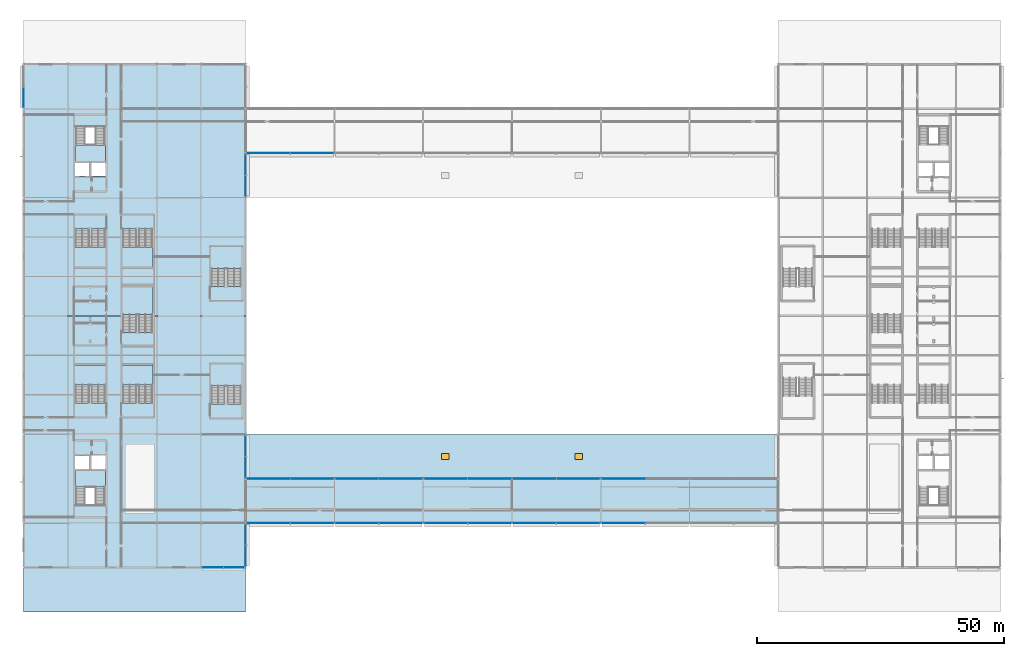
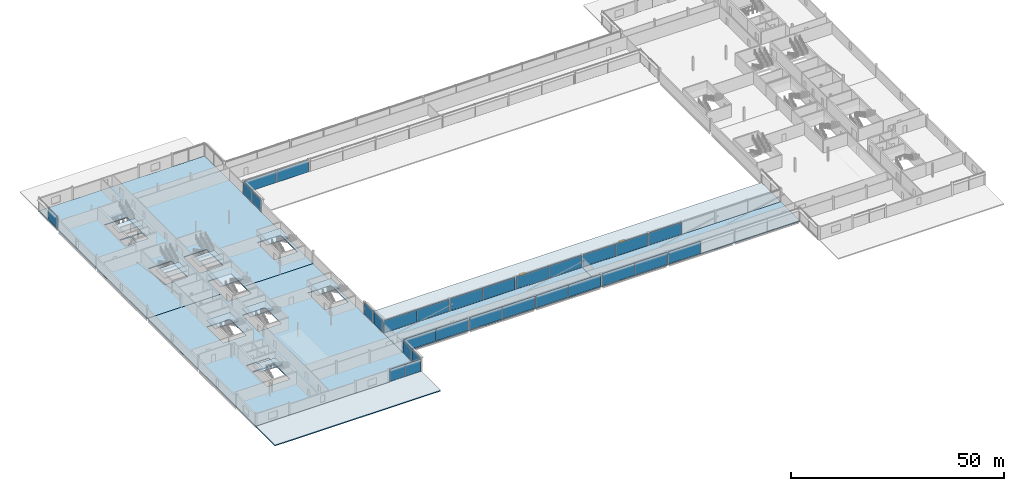
# One storey, part 57 of 105: 29 plates, 15 slabs, 2 windows, 2 openings, 25 elements without a shape of their own.
"""IFC4 building model written with IfcOpenShell, lengths in metres."""

from ifc_helpers import new_model, si_unit, direction, frame, origin, origin_2d, place, context, subcontext, project, spatial, polyline, rectangle, outline, extrude, material, layer, layer_set, type_object, element, fill, aggregate, save


model = new_model("IFC4")

# Units and contexts
model_context = context("Model", 3, precision=1e-05, world=origin(), true_north=direction((0.0, 1.0)))
body_context = subcontext(model_context, "Body", "Model", "MODEL_VIEW")
ifc_project = project(units=[si_unit("LENGTHUNIT", "METRE"), si_unit("AREAUNIT", "SQUARE_METRE"), si_unit("VOLUMEUNIT", "CUBIC_METRE"), si_unit("PLANEANGLEUNIT", "RADIAN"), si_unit("MASSUNIT", "GRAM", prefix="KILO")], contexts=[model_context])

# Site, building, storey
site_placement = place(None, origin())
site = spatial("IfcSite", under=ifc_project, at=site_placement, CompositionType="ELEMENT")
building_placement = place(site_placement, origin())
building = spatial("IfcBuilding", under=site, at=building_placement, Name="Kisiwana Market Hall", CompositionType="ELEMENT")
storey_placement = place(building_placement, frame((0.0, 0.0, 21.60009765625)))
storey = spatial("IfcBuildingStorey", under=building, at=storey_placement, Name="L04", CompositionType="ELEMENT", Elevation=21.60009765625)

# Curtain wall, plates
ifc_material_1 = material(Name="Double-glazed solar-control low-E IGU", Category="glass")
ifc_layer_1 = layer(ifc_material_1, 0.159912109375)
ifc_layer_set_1 = layer_set([ifc_layer_1], Name="CW-ZNA-EW-8200")
curtain_wall_type = type_object("IfcCurtainWallType", Name="CW-ZNA-EW-8200", PredefinedType="USERDEFINED", material=ifc_layer_set_1)
curtain_wall_1_placement = place(storey_placement, origin())
curtain_wall_1 = element("IfcCurtainWall", 1, at=curtain_wall_1_placement, inside=storey, type_object=curtain_wall_type, Name="Unitised curtain wall CW-089 (L04)", ObjectType="UNITISED CURTAIN WALL", PredefinedType="USERDEFINED")
ifc_material_2 = material(Name="Double-glazed solar-control low-E IGU", Category="glass")
ifc_layer_2 = layer(ifc_material_2, 0.02392578125)
ifc_layer_set_2 = layer_set([ifc_layer_2], Name="PL-IGU-24")
plate_type_1 = type_object("IfcPlateType", Name="PL-IGU-24", PredefinedType="CURTAIN_PANEL", material=ifc_layer_set_2)
plate_1_placement = place(storey_placement, frame((38.358154296875, 9.0, 0.06005859375), z_axis=(0.0, 0.0, 1.0), x_axis=(1.0, 0.0, 0.0)))
plate_1 = element("IfcPlate", 2, at=plate_1_placement, type_object=plate_type_1, Name="CW-089 panel 1.1", PredefinedType="CURTAIN_PANEL", context=body_context, shape_type="SweptSolid", body=[
    extrude(rectangle(XDim=4.2236328125, YDim=0.02392578125, at=origin_2d()), origin(), (0.0, 0.0, 1.0), 3.465087890625),
])
plate_2_placement = place(storey_placement, frame((42.641845703125, 9.0, 0.06005859375), z_axis=(0.0, 0.0, 1.0), x_axis=(1.0, 0.0, 0.0)))
plate_2 = element("IfcPlate", 3, at=plate_2_placement, type_object=plate_type_1, Name="CW-089 panel 2.1", PredefinedType="CURTAIN_PANEL", context=body_context, shape_type="SweptSolid", body=[
    extrude(rectangle(XDim=4.2236328125, YDim=0.02392578125, at=origin_2d()), origin(), (0.0, 0.0, 1.0), 3.465087890625),
])
aggregate(curtain_wall_1, [plate_1, plate_2])

curtain_wall_2_placement = place(storey_placement, origin())
curtain_wall_2 = element("IfcCurtainWall", 4, at=curtain_wall_2_placement, inside=storey, type_object=curtain_wall_type, Name="Unitised curtain wall CW-093 (L04)", ObjectType="UNITISED CURTAIN WALL", PredefinedType="USERDEFINED")
plate_3_placement = place(storey_placement, frame((67.577392578125, 18.0, 0.06005859375), z_axis=(0.0, 0.0, 1.0), x_axis=(1.0, 0.0, 0.0)))
plate_3 = element("IfcPlate", 5, at=plate_3_placement, type_object=plate_type_1, Name="CW-093 panel 1.1", PredefinedType="CURTAIN_PANEL", context=body_context, shape_type="SweptSolid", body=[
    extrude(rectangle(XDim=8.784912109375, YDim=0.02392578125, at=origin_2d()), origin(), (0.0, 0.0, 1.0), 3.465087890625),
])
plate_4_placement = place(storey_placement, frame((76.422607421875, 18.0, 0.06005859375), z_axis=(0.0, 0.0, 1.0), x_axis=(1.0, 0.0, 0.0)))
plate_4 = element("IfcPlate", 6, at=plate_4_placement, type_object=plate_type_1, Name="CW-093 panel 2.1", PredefinedType="CURTAIN_PANEL", context=body_context, shape_type="SweptSolid", body=[
    extrude(rectangle(XDim=8.784912109375, YDim=0.02392578125, at=origin_2d()), origin(), (0.0, 0.0, 1.0), 3.465087890625),
])
aggregate(curtain_wall_2, [plate_3, plate_4])

curtain_wall_3_placement = place(storey_placement, origin())
curtain_wall_3 = element("IfcCurtainWall", 7, at=curtain_wall_3_placement, inside=storey, type_object=curtain_wall_type, Name="Unitised curtain wall CW-095 (L04)", ObjectType="UNITISED CURTAIN WALL", PredefinedType="USERDEFINED")
plate_5_placement = place(storey_placement, frame((103.577392578125, 18.0, 0.06005859375), z_axis=(0.0, 0.0, 1.0), x_axis=(1.0, 0.0, 0.0)))
plate_5 = element("IfcPlate", 8, at=plate_5_placement, type_object=plate_type_1, Name="CW-095 panel 1.1", PredefinedType="CURTAIN_PANEL", context=body_context, shape_type="SweptSolid", body=[
    extrude(rectangle(XDim=8.784912109375, YDim=0.02392578125, at=origin_2d()), origin(), (0.0, 0.0, 1.0), 3.465087890625),
])
plate_6_placement = place(storey_placement, frame((112.422607421875, 18.0, 0.06005859375), z_axis=(0.0, 0.0, 1.0), x_axis=(1.0, 0.0, 0.0)))
plate_6 = element("IfcPlate", 9, at=plate_6_placement, type_object=plate_type_1, Name="CW-095 panel 2.1", PredefinedType="CURTAIN_PANEL", context=body_context, shape_type="SweptSolid", body=[
    extrude(rectangle(XDim=8.784912109375, YDim=0.02392578125, at=origin_2d()), origin(), (0.0, 0.0, 1.0), 3.465087890625),
])
aggregate(curtain_wall_3, [plate_5, plate_6])

curtain_wall_4_placement = place(storey_placement, origin())
curtain_wall_4 = element("IfcCurtainWall", 10, at=curtain_wall_4_placement, inside=storey, type_object=curtain_wall_type, Name="Unitised curtain wall CW-099 (L04)", ObjectType="UNITISED CURTAIN WALL", PredefinedType="USERDEFINED")
plate_7_placement = place(storey_placement, frame((67.577392578125, 27.0, 0.06005859375), z_axis=(0.0, 0.0, 1.0), x_axis=(1.0, 0.0, 0.0)))
plate_7 = element("IfcPlate", 11, at=plate_7_placement, type_object=plate_type_1, Name="CW-099 panel 1.1", PredefinedType="CURTAIN_PANEL", context=body_context, shape_type="SweptSolid", body=[
    extrude(rectangle(XDim=8.784912109375, YDim=0.02392578125, at=origin_2d()), origin(), (0.0, 0.0, 1.0), 3.465087890625),
])
plate_8_placement = place(storey_placement, frame((76.422607421875, 27.0, 0.06005859375), z_axis=(0.0, 0.0, 1.0), x_axis=(1.0, 0.0, 0.0)))
plate_8 = element("IfcPlate", 12, at=plate_8_placement, type_object=plate_type_1, Name="CW-099 panel 2.1", PredefinedType="CURTAIN_PANEL", context=body_context, shape_type="SweptSolid", body=[
    extrude(rectangle(XDim=8.784912109375, YDim=0.02392578125, at=origin_2d()), origin(), (0.0, 0.0, 1.0), 3.465087890625),
])
aggregate(curtain_wall_4, [plate_7, plate_8])

curtain_wall_5_placement = place(storey_placement, origin())
curtain_wall_5 = element("IfcCurtainWall", 13, at=curtain_wall_5_placement, inside=storey, type_object=curtain_wall_type, Name="Unitised curtain wall CW-101 (L04)", ObjectType="UNITISED CURTAIN WALL", PredefinedType="USERDEFINED")
plate_9_placement = place(storey_placement, frame((103.577392578125, 27.0, 0.06005859375), z_axis=(0.0, 0.0, 1.0), x_axis=(1.0, 0.0, 0.0)))
plate_9 = element("IfcPlate", 14, at=plate_9_placement, type_object=plate_type_1, Name="CW-101 panel 1.1", PredefinedType="CURTAIN_PANEL", context=body_context, shape_type="SweptSolid", body=[
    extrude(rectangle(XDim=8.784912109375, YDim=0.02392578125, at=origin_2d()), origin(), (0.0, 0.0, 1.0), 3.465087890625),
])
plate_10_placement = place(storey_placement, frame((112.422607421875, 27.0, 0.06005859375), z_axis=(0.0, 0.0, 1.0), x_axis=(1.0, 0.0, 0.0)))
plate_10 = element("IfcPlate", 15, at=plate_10_placement, type_object=plate_type_1, Name="CW-101 panel 2.1", PredefinedType="CURTAIN_PANEL", context=body_context, shape_type="SweptSolid", body=[
    extrude(rectangle(XDim=8.784912109375, YDim=0.02392578125, at=origin_2d()), origin(), (0.0, 0.0, 1.0), 3.465087890625),
])
aggregate(curtain_wall_5, [plate_9, plate_10])

# Curtain wall, plate
curtain_wall_6_placement = place(storey_placement, origin())
curtain_wall_6 = element("IfcCurtainWall", 16, at=curtain_wall_6_placement, inside=storey, type_object=curtain_wall_type, Name="Unitised curtain wall CW-119 (L04)", ObjectType="UNITISED CURTAIN WALL", PredefinedType="USERDEFINED")
plate_11_placement = place(storey_placement, frame((0.0, 104.35693359375, 0.06005859375), z_axis=(0.0, 0.0, 1.0), x_axis=(0.0, 1.0, 0.0)))
plate_11 = element("IfcPlate", 17, at=plate_11_placement, type_object=plate_type_1, Name="CW-119 panel 1.1", PredefinedType="CURTAIN_PANEL", context=body_context, shape_type="SweptSolid", body=[
    extrude(rectangle(XDim=4.225830078125, YDim=0.02392578125, at=origin_2d()), origin(), (0.0, 0.0, 1.0), 3.465087890625),
])
aggregate(curtain_wall_6, [plate_11])

# Curtain wall, plates
curtain_wall_7_placement = place(storey_placement, origin())
curtain_wall_7 = element("IfcCurtainWall", 18, at=curtain_wall_7_placement, inside=storey, type_object=curtain_wall_type, Name="Unitised curtain wall CW-121 (L04)", ObjectType="UNITISED CURTAIN WALL", PredefinedType="USERDEFINED")
plate_12_placement = place(storey_placement, frame((45.0, 29.35693359375, 0.06005859375), z_axis=(0.0, 0.0, 1.0), x_axis=(0.0, 1.0, 0.0)))
plate_12 = element("IfcPlate", 19, at=plate_12_placement, type_object=plate_type_1, Name="CW-121 panel 1.1", PredefinedType="CURTAIN_PANEL", context=body_context, shape_type="SweptSolid", body=[
    extrude(rectangle(XDim=4.225830078125, YDim=0.02392578125, at=origin_2d()), origin(), (0.0, 0.0, 1.0), 3.465087890625),
])
plate_13_placement = place(storey_placement, frame((45.0, 33.64306640625, 0.06005859375), z_axis=(0.0, 0.0, 1.0), x_axis=(0.0, 1.0, 0.0)))
plate_13 = element("IfcPlate", 20, at=plate_13_placement, type_object=plate_type_1, Name="CW-121 panel 2.1", PredefinedType="CURTAIN_PANEL", context=body_context, shape_type="SweptSolid", body=[
    extrude(rectangle(XDim=4.225830078125, YDim=0.02392578125, at=origin_2d()), origin(), (0.0, 0.0, 1.0), 3.465087890625),
])
aggregate(curtain_wall_7, [plate_12, plate_13])

curtain_wall_8_placement = place(storey_placement, origin())
curtain_wall_8 = element("IfcCurtainWall", 21, at=curtain_wall_8_placement, inside=storey, type_object=curtain_wall_type, Name="Unitised curtain wall CW-092 (L04)", ObjectType="UNITISED CURTAIN WALL", PredefinedType="USERDEFINED")
ifc_material_3 = material(Name="Double-glazed acoustic laminated IGU", Category="glass")
ifc_layer_3 = layer(ifc_material_3, 0.028076171875)
ifc_layer_set_3 = layer_set([ifc_layer_3], Name="PL-IGU-28")
plate_type_2 = type_object("IfcPlateType", Name="PL-IGU-28", PredefinedType="CURTAIN_PANEL", material=ifc_layer_set_3)
plate_14_placement = place(storey_placement, frame((49.62353515625, 18.0, 0.06005859375), z_axis=(0.0, 0.0, 1.0), x_axis=(1.0, 0.0, 0.0)))
plate_14 = element("IfcPlate", 22, at=plate_14_placement, type_object=plate_type_2, Name="CW-092 panel 1.1", PredefinedType="CURTAIN_PANEL", context=body_context, shape_type="SweptSolid", body=[
    extrude(rectangle(XDim=8.75439453125, YDim=0.028076171875, at=origin_2d()), origin(), (0.0, 0.0, 1.0), 3.465087890625),
])
plate_15_placement = place(storey_placement, frame((58.437744140625, 18.0, 0.06005859375), z_axis=(0.0, 0.0, 1.0), x_axis=(1.0, 0.0, 0.0)))
plate_15 = element("IfcPlate", 23, at=plate_15_placement, type_object=plate_type_2, Name="CW-092 panel 2.1", PredefinedType="CURTAIN_PANEL", context=body_context, shape_type="SweptSolid", body=[
    extrude(rectangle(XDim=8.75439453125, YDim=0.028076171875, at=origin_2d()), origin(), (0.0, 0.0, 1.0), 3.465087890625),
])
aggregate(curtain_wall_8, [plate_14, plate_15])

curtain_wall_9_placement = place(storey_placement, origin())
curtain_wall_9 = element("IfcCurtainWall", 24, at=curtain_wall_9_placement, inside=storey, type_object=curtain_wall_type, Name="Unitised curtain wall CW-094 (L04)", ObjectType="UNITISED CURTAIN WALL", PredefinedType="USERDEFINED")
plate_16_placement = place(storey_placement, frame((85.577392578125, 18.0, 0.06005859375), z_axis=(0.0, 0.0, 1.0), x_axis=(1.0, 0.0, 0.0)))
plate_16 = element("IfcPlate", 25, at=plate_16_placement, type_object=plate_type_2, Name="CW-094 panel 1.1", PredefinedType="CURTAIN_PANEL", context=body_context, shape_type="SweptSolid", body=[
    extrude(rectangle(XDim=8.784912109375, YDim=0.028076171875, at=origin_2d()), origin(), (0.0, 0.0, 1.0), 3.465087890625),
])
plate_17_placement = place(storey_placement, frame((94.422607421875, 18.0, 0.06005859375), z_axis=(0.0, 0.0, 1.0), x_axis=(1.0, 0.0, 0.0)))
plate_17 = element("IfcPlate", 26, at=plate_17_placement, type_object=plate_type_2, Name="CW-094 panel 2.1", PredefinedType="CURTAIN_PANEL", context=body_context, shape_type="SweptSolid", body=[
    extrude(rectangle(XDim=8.784912109375, YDim=0.028076171875, at=origin_2d()), origin(), (0.0, 0.0, 1.0), 3.465087890625),
])
aggregate(curtain_wall_9, [plate_16, plate_17])

# Curtain wall, plate
curtain_wall_10_placement = place(storey_placement, origin())
curtain_wall_10 = element("IfcCurtainWall", 27, at=curtain_wall_10_placement, inside=storey, type_object=curtain_wall_type, Name="Unitised curtain wall CW-096 (L04)", ObjectType="UNITISED CURTAIN WALL", PredefinedType="USERDEFINED")
plate_18_placement = place(storey_placement, frame((121.577392578125, 18.0, 0.06005859375), z_axis=(0.0, 0.0, 1.0), x_axis=(1.0, 0.0, 0.0)))
plate_18 = element("IfcPlate", 28, at=plate_18_placement, type_object=plate_type_2, Name="CW-096 panel 1.1", PredefinedType="CURTAIN_PANEL", context=body_context, shape_type="SweptSolid", body=[
    extrude(rectangle(XDim=8.784912109375, YDim=0.028076171875, at=origin_2d()), origin(), (0.0, 0.0, 1.0), 3.465087890625),
])
aggregate(curtain_wall_10, [plate_18])

# Curtain wall, plates
curtain_wall_11_placement = place(storey_placement, origin())
curtain_wall_11 = element("IfcCurtainWall", 29, at=curtain_wall_11_placement, inside=storey, type_object=curtain_wall_type, Name="Unitised curtain wall CW-098 (L04)", ObjectType="UNITISED CURTAIN WALL", PredefinedType="USERDEFINED")
plate_19_placement = place(storey_placement, frame((49.62353515625, 27.0, 0.06005859375), z_axis=(0.0, 0.0, 1.0), x_axis=(1.0, 0.0, 0.0)))
plate_19 = element("IfcPlate", 30, at=plate_19_placement, type_object=plate_type_2, Name="CW-098 panel 1.1", PredefinedType="CURTAIN_PANEL", context=body_context, shape_type="SweptSolid", body=[
    extrude(rectangle(XDim=8.75439453125, YDim=0.028076171875, at=origin_2d()), origin(), (0.0, 0.0, 1.0), 3.465087890625),
])
plate_20_placement = place(storey_placement, frame((58.437744140625, 27.0, 0.06005859375), z_axis=(0.0, 0.0, 1.0), x_axis=(1.0, 0.0, 0.0)))
plate_20 = element("IfcPlate", 31, at=plate_20_placement, type_object=plate_type_2, Name="CW-098 panel 2.1", PredefinedType="CURTAIN_PANEL", context=body_context, shape_type="SweptSolid", body=[
    extrude(rectangle(XDim=8.75439453125, YDim=0.028076171875, at=origin_2d()), origin(), (0.0, 0.0, 1.0), 3.465087890625),
])
aggregate(curtain_wall_11, [plate_19, plate_20])

curtain_wall_12_placement = place(storey_placement, origin())
curtain_wall_12 = element("IfcCurtainWall", 32, at=curtain_wall_12_placement, inside=storey, type_object=curtain_wall_type, Name="Unitised curtain wall CW-100 (L04)", ObjectType="UNITISED CURTAIN WALL", PredefinedType="USERDEFINED")
plate_21_placement = place(storey_placement, frame((85.577392578125, 27.0, 0.06005859375), z_axis=(0.0, 0.0, 1.0), x_axis=(1.0, 0.0, 0.0)))
plate_21 = element("IfcPlate", 33, at=plate_21_placement, type_object=plate_type_2, Name="CW-100 panel 1.1", PredefinedType="CURTAIN_PANEL", context=body_context, shape_type="SweptSolid", body=[
    extrude(rectangle(XDim=8.784912109375, YDim=0.028076171875, at=origin_2d()), origin(), (0.0, 0.0, 1.0), 3.465087890625),
])
plate_22_placement = place(storey_placement, frame((94.422607421875, 27.0, 0.06005859375), z_axis=(0.0, 0.0, 1.0), x_axis=(1.0, 0.0, 0.0)))
plate_22 = element("IfcPlate", 34, at=plate_22_placement, type_object=plate_type_2, Name="CW-100 panel 2.1", PredefinedType="CURTAIN_PANEL", context=body_context, shape_type="SweptSolid", body=[
    extrude(rectangle(XDim=8.784912109375, YDim=0.028076171875, at=origin_2d()), origin(), (0.0, 0.0, 1.0), 3.465087890625),
])
aggregate(curtain_wall_12, [plate_21, plate_22])

# Curtain wall, plate
curtain_wall_13_placement = place(storey_placement, origin())
curtain_wall_13 = element("IfcCurtainWall", 35, at=curtain_wall_13_placement, inside=storey, type_object=curtain_wall_type, Name="Unitised curtain wall CW-102 (L04)", ObjectType="UNITISED CURTAIN WALL", PredefinedType="USERDEFINED")
plate_23_placement = place(storey_placement, frame((121.577392578125, 27.0, 0.06005859375), z_axis=(0.0, 0.0, 1.0), x_axis=(1.0, 0.0, 0.0)))
plate_23 = element("IfcPlate", 36, at=plate_23_placement, type_object=plate_type_2, Name="CW-102 panel 1.1", PredefinedType="CURTAIN_PANEL", context=body_context, shape_type="SweptSolid", body=[
    extrude(rectangle(XDim=8.784912109375, YDim=0.028076171875, at=origin_2d()), origin(), (0.0, 0.0, 1.0), 3.465087890625),
])
aggregate(curtain_wall_13, [plate_23])

# Curtain wall, plates
curtain_wall_14_placement = place(storey_placement, origin())
curtain_wall_14 = element("IfcCurtainWall", 37, at=curtain_wall_14_placement, inside=storey, type_object=curtain_wall_type, Name="Unitised curtain wall CW-104 (L04)", ObjectType="UNITISED CURTAIN WALL", PredefinedType="USERDEFINED")
plate_24_placement = place(storey_placement, frame((49.62353515625, 93.0, 0.06005859375), z_axis=(0.0, 0.0, 1.0), x_axis=(1.0, 0.0, 0.0)))
plate_24 = element("IfcPlate", 38, at=plate_24_placement, type_object=plate_type_2, Name="CW-104 panel 1.1", PredefinedType="CURTAIN_PANEL", context=body_context, shape_type="SweptSolid", body=[
    extrude(rectangle(XDim=8.75439453125, YDim=0.028076171875, at=origin_2d()), origin(), (0.0, 0.0, 1.0), 3.465087890625),
])
plate_25_placement = place(storey_placement, frame((58.437744140625, 93.0, 0.06005859375), z_axis=(0.0, 0.0, 1.0), x_axis=(1.0, 0.0, 0.0)))
plate_25 = element("IfcPlate", 39, at=plate_25_placement, type_object=plate_type_2, Name="CW-104 panel 2.1", PredefinedType="CURTAIN_PANEL", context=body_context, shape_type="SweptSolid", body=[
    extrude(rectangle(XDim=8.75439453125, YDim=0.028076171875, at=origin_2d()), origin(), (0.0, 0.0, 1.0), 3.465087890625),
])
aggregate(curtain_wall_14, [plate_24, plate_25])

curtain_wall_15_placement = place(storey_placement, origin())
curtain_wall_15 = element("IfcCurtainWall", 40, at=curtain_wall_15_placement, inside=storey, type_object=curtain_wall_type, Name="Unitised curtain wall CW-120 (L04)", ObjectType="UNITISED CURTAIN WALL", PredefinedType="USERDEFINED")
plate_26_placement = place(storey_placement, frame((45.0, 11.35693359375, 0.06005859375), z_axis=(0.0, 0.0, 1.0), x_axis=(0.0, 1.0, 0.0)))
plate_26 = element("IfcPlate", 41, at=plate_26_placement, type_object=plate_type_2, Name="CW-120 panel 1.1", PredefinedType="CURTAIN_PANEL", context=body_context, shape_type="SweptSolid", body=[
    extrude(rectangle(XDim=4.225830078125, YDim=0.028076171875, at=origin_2d()), origin(), (0.0, 0.0, 1.0), 3.465087890625),
])
plate_27_placement = place(storey_placement, frame((45.0, 15.64306640625, 0.06005859375), z_axis=(0.0, 0.0, 1.0), x_axis=(0.0, 1.0, 0.0)))
plate_27 = element("IfcPlate", 42, at=plate_27_placement, type_object=plate_type_2, Name="CW-120 panel 2.1", PredefinedType="CURTAIN_PANEL", context=body_context, shape_type="SweptSolid", body=[
    extrude(rectangle(XDim=4.225830078125, YDim=0.028076171875, at=origin_2d()), origin(), (0.0, 0.0, 1.0), 3.465087890625),
])
aggregate(curtain_wall_15, [plate_26, plate_27])

curtain_wall_16_placement = place(storey_placement, origin())
curtain_wall_16 = element("IfcCurtainWall", 43, at=curtain_wall_16_placement, inside=storey, type_object=curtain_wall_type, Name="Unitised curtain wall CW-122 (L04)", ObjectType="UNITISED CURTAIN WALL", PredefinedType="USERDEFINED")
plate_28_placement = place(storey_placement, frame((45.0, 86.35693359375, 0.06005859375), z_axis=(0.0, 0.0, 1.0), x_axis=(0.0, 1.0, 0.0)))
plate_28 = element("IfcPlate", 44, at=plate_28_placement, type_object=plate_type_2, Name="CW-122 panel 1.1", PredefinedType="CURTAIN_PANEL", context=body_context, shape_type="SweptSolid", body=[
    extrude(rectangle(XDim=4.225830078125, YDim=0.028076171875, at=origin_2d()), origin(), (0.0, 0.0, 1.0), 3.465087890625),
])
plate_29_placement = place(storey_placement, frame((45.0, 90.64306640625, 0.06005859375), z_axis=(0.0, 0.0, 1.0), x_axis=(0.0, 1.0, 0.0)))
plate_29 = element("IfcPlate", 45, at=plate_29_placement, type_object=plate_type_2, Name="CW-122 panel 2.1", PredefinedType="CURTAIN_PANEL", context=body_context, shape_type="SweptSolid", body=[
    extrude(rectangle(XDim=4.225830078125, YDim=0.028076171875, at=origin_2d()), origin(), (0.0, 0.0, 1.0), 3.465087890625),
])
aggregate(curtain_wall_16, [plate_28, plate_29])

# Stair, slab
ifc_material_4 = material(Name="Concrete C32/40", Category="concrete")
stair_type_1 = type_object("IfcStairType", Name="ST-TWR-3900", PredefinedType="TWO_STRAIGHT_RUN_STAIR", material=ifc_material_4)
stair_1_placement = place(storey_placement, origin())
stair_1 = element("IfcStair", 46, at=stair_1_placement, inside=storey, type_object=stair_type_1, Name="Escape stair ST-W2-L04", PredefinedType="TWO_STRAIGHT_RUN_STAIR")
ifc_material_5 = material(Name="Concrete C32/40", Category="concrete")
ifc_layer_4 = layer(ifc_material_5, 0.239990234375)
ifc_layer_set_4 = layer_set([ifc_layer_4], Name="SL-LANDING-160")
slab_type_1 = type_object("IfcSlabType", Name="SL-LANDING-160", PredefinedType="LANDING", material=ifc_layer_set_4)
slab_1_placement = place(storey_placement, frame((0.0, 0.0, 1.7099609375)))
slab_1 = element("IfcSlab", 47, at=slab_1_placement, type_object=slab_type_1, Name="ST-W2-L04 landing 1 S-243", PredefinedType="LANDING", context=body_context, shape_type="SweptSolid", body=[
    extrude(outline(polyline([(10.405029296875, 25.333984375), (16.594970703125, 25.333984375), (16.594970703125, 28.64501953125), (10.405029296875, 28.64501953125), (10.405029296875, 25.333984375)])), origin(), (0.0, 0.0, 1.0), 0.239990234375),
])
aggregate(stair_1, [slab_1])

stair_2_placement = place(storey_placement, origin())
stair_2 = element("IfcStair", 48, at=stair_2_placement, inside=storey, type_object=stair_type_1, Name="Escape stair ST-W1-L04", PredefinedType="TWO_STRAIGHT_RUN_STAIR")
slab_2_placement = place(storey_placement, frame((0.0, 0.0, 1.7099609375)))
slab_2 = element("IfcSlab", 49, at=slab_2_placement, type_object=slab_type_1, Name="ST-W1-L04 landing 1 S-241", PredefinedType="LANDING", context=body_context, shape_type="SweptSolid", body=[
    extrude(outline(polyline([(10.405029296875, 91.35498046875), (16.594970703125, 91.35498046875), (16.594970703125, 94.666015625), (10.405029296875, 94.666015625), (10.405029296875, 91.35498046875)])), origin(), (0.0, 0.0, 1.0), 0.239990234375),
])
aggregate(stair_2, [slab_2])

ifc_material_6 = material(Name="Concrete C32/40", Category="concrete")
stair_type_2 = type_object("IfcStairType", Name="ST-ESC-3900", PredefinedType="TWO_STRAIGHT_RUN_STAIR", material=ifc_material_6)
stair_3_placement = place(storey_placement, origin())
stair_3 = element("IfcStair", 50, at=stair_3_placement, inside=storey, type_object=stair_type_2, Name="Escape stair ST-W3-L04", PredefinedType="TWO_STRAIGHT_RUN_STAIR")
slab_3_placement = place(storey_placement, frame((0.0, 0.0, 1.7099609375)))
slab_3 = element("IfcSlab", 51, at=slab_3_placement, type_object=slab_type_1, Name="ST-W3-L04 landing 1 S-244", PredefinedType="LANDING", context=body_context, shape_type="SweptSolid", body=[
    extrude(outline(polyline([(10.340087890625, 46.01953125), (16.659912109375, 46.01953125), (16.659912109375, 50.06005859375), (10.340087890625, 50.06005859375), (10.340087890625, 46.01953125)])), origin(), (0.0, 0.0, 1.0), 0.239990234375),
])
aggregate(stair_3, [slab_3])

stair_4_placement = place(storey_placement, origin())
stair_4 = element("IfcStair", 52, at=stair_4_placement, inside=storey, type_object=stair_type_2, Name="Escape stair ST-W4-L04", PredefinedType="TWO_STRAIGHT_RUN_STAIR")
slab_4_placement = place(storey_placement, frame((0.0, 0.0, 1.7099609375)))
slab_4 = element("IfcSlab", 53, at=slab_4_placement, type_object=slab_type_1, Name="ST-W4-L04 landing 1 S-245", PredefinedType="LANDING", context=body_context, shape_type="SweptSolid", body=[
    extrude(outline(polyline([(10.340087890625, 69.93994140625), (16.659912109375, 69.93994140625), (16.659912109375, 73.98046875), (10.340087890625, 73.98046875), (10.340087890625, 69.93994140625)])), origin(), (0.0, 0.0, 1.0), 0.239990234375),
])
aggregate(stair_4, [slab_4])

stair_5_placement = place(storey_placement, origin())
stair_5 = element("IfcStair", 54, at=stair_5_placement, inside=storey, type_object=stair_type_2, Name="Escape stair ST-W7-L04", PredefinedType="TWO_STRAIGHT_RUN_STAIR")
slab_5_placement = place(storey_placement, frame((0.0, 0.0, 1.7099609375)))
slab_5 = element("IfcSlab", 55, at=slab_5_placement, type_object=slab_type_1, Name="ST-W7-L04 landing 1 S-247", PredefinedType="LANDING", context=body_context, shape_type="SweptSolid", body=[
    extrude(outline(polyline([(19.93994140625, 46.01953125), (26.260009765625, 46.01953125), (26.260009765625, 50.06005859375), (19.93994140625, 50.06005859375), (19.93994140625, 46.01953125)])), origin(), (0.0, 0.0, 1.0), 0.239990234375),
])
aggregate(stair_5, [slab_5])

stair_6_placement = place(storey_placement, origin())
stair_6 = element("IfcStair", 56, at=stair_6_placement, inside=storey, type_object=stair_type_2, Name="Escape stair ST-W8-L04", PredefinedType="TWO_STRAIGHT_RUN_STAIR")
slab_6_placement = place(storey_placement, frame((0.0, 0.0, 1.7099609375)))
slab_6 = element("IfcSlab", 57, at=slab_6_placement, type_object=slab_type_1, Name="ST-W8-L04 landing 1 S-248", PredefinedType="LANDING", context=body_context, shape_type="SweptSolid", body=[
    extrude(outline(polyline([(19.93994140625, 69.93994140625), (26.260009765625, 69.93994140625), (26.260009765625, 73.98046875), (19.93994140625, 73.98046875), (19.93994140625, 69.93994140625)])), origin(), (0.0, 0.0, 1.0), 0.239990234375),
])
aggregate(stair_6, [slab_6])

stair_7_placement = place(storey_placement, origin())
stair_7 = element("IfcStair", 58, at=stair_7_placement, inside=storey, type_object=stair_type_2, Name="Escape stair ST-W9-L04", PredefinedType="TWO_STRAIGHT_RUN_STAIR")
slab_7_placement = place(storey_placement, frame((0.0, 0.0, 1.7099609375)))
slab_7 = element("IfcSlab", 59, at=slab_7_placement, type_object=slab_type_1, Name="ST-W9-L04 landing 1 S-249", PredefinedType="LANDING", context=body_context, shape_type="SweptSolid", body=[
    extrude(outline(polyline([(37.909912109375, 45.819580078125), (44.22998046875, 45.819580078125), (44.22998046875, 50.260009765625), (37.909912109375, 50.260009765625), (37.909912109375, 45.819580078125)])), origin(), (0.0, 0.0, 1.0), 0.239990234375),
])
aggregate(stair_7, [slab_7])

stair_8_placement = place(storey_placement, origin())
stair_8 = element("IfcStair", 60, at=stair_8_placement, inside=storey, type_object=stair_type_2, Name="Escape stair ST-W10-L04", PredefinedType="TWO_STRAIGHT_RUN_STAIR")
slab_8_placement = place(storey_placement, frame((0.0, 0.0, 1.7099609375)))
slab_8 = element("IfcSlab", 61, at=slab_8_placement, type_object=slab_type_1, Name="ST-W10-L04 landing 1 S-242", PredefinedType="LANDING", context=body_context, shape_type="SweptSolid", body=[
    extrude(outline(polyline([(37.909912109375, 69.619384765625), (44.22998046875, 69.619384765625), (44.22998046875, 74.06005859375), (37.909912109375, 74.06005859375), (37.909912109375, 69.619384765625)])), origin(), (0.0, 0.0, 1.0), 0.239990234375),
])
aggregate(stair_8, [slab_8])

stair_9_placement = place(storey_placement, origin())
stair_9 = element("IfcStair", 62, at=stair_9_placement, inside=storey, type_object=stair_type_2, Name="Escape stair ST-W5-L04", PredefinedType="TWO_STRAIGHT_RUN_STAIR")
slab_9_placement = place(storey_placement, frame((0.0, 0.0, 1.7099609375)))
slab_9 = element("IfcSlab", 63, at=slab_9_placement, type_object=slab_type_1, Name="ST-W5-L04 landing 1 S-246", PredefinedType="LANDING", context=body_context, shape_type="SweptSolid", body=[
    extrude(outline(polyline([(19.93994140625, 60.299560546875), (26.260009765625, 60.299560546875), (26.260009765625, 66.179931640625), (19.93994140625, 66.179931640625), (19.93994140625, 60.299560546875)])), origin(), (0.0, 0.0, 1.0), 0.239990234375),
])
aggregate(stair_9, [slab_9])

# Slabs
ifc_material_7 = material(Name="Concrete C32/40", Category="concrete")
ifc_layer_5 = layer(ifc_material_7, 0.2451171875)
ifc_layer_set_5 = layer_set([ifc_layer_5], Name="SL-OFF-175")
slab_type_2 = type_object("IfcSlabType", Name="SL-OFF-175", PredefinedType="FLOOR", material=ifc_layer_set_5)
slab_10_placement = place(storey_placement, frame((0.0, 0.0, -0.2451171875)))
element("IfcSlab", 64, at=slab_10_placement, inside=storey, type_object=slab_type_2, Name="Structural slab S-224", PredefinedType="FLOOR", context=body_context, shape_type="SweptSolid", body=[
    extrude(outline(polyline([(0.0, 9.0), (45.0, 9.0), (45.0, 60.0), (26.239990234375, 60.0), (26.239990234375, 56.659912109375), (19.9599609375, 56.659912109375), (19.9599609375, 60.0), (0.0, 60.0), (0.0, 9.0)]), holes=[polyline([(10.425048828125, 21.675048828125), (16.574951171875, 21.675048828125), (16.574951171875, 28.625), (10.425048828125, 28.625), (10.425048828125, 21.675048828125)]), polyline([(10.425048828125, 28.945068359375), (13.340087890625, 28.945068359375), (13.340087890625, 31.675048828125), (10.425048828125, 31.675048828125), (10.425048828125, 28.945068359375)]), polyline([(13.659912109375, 28.945068359375), (16.574951171875, 28.945068359375), (16.574951171875, 31.675048828125), (13.659912109375, 31.675048828125), (13.659912109375, 28.945068359375)]), polyline([(10.360107421875, 42.3798828125), (16.639892578125, 42.3798828125), (16.639892578125, 50.0400390625), (10.360107421875, 50.0400390625), (10.360107421875, 42.3798828125)]), polyline([(19.9599609375, 42.3798828125), (26.239990234375, 42.3798828125), (26.239990234375, 50.0400390625), (19.9599609375, 50.0400390625), (19.9599609375, 42.3798828125)]), polyline([(37.929931640625, 42.179931640625), (44.2099609375, 42.179931640625), (44.2099609375, 50.239990234375), (37.929931640625, 50.239990234375), (37.929931640625, 42.179931640625)])]), origin(), (0.0, 0.0, 1.0), 0.2451171875),
])
slab_11_placement = place(storey_placement, frame((0.0, 0.0, -0.2451171875)))
element("IfcSlab", 65, at=slab_11_placement, inside=storey, type_object=slab_type_2, Name="Structural slab S-225", PredefinedType="FLOOR", context=body_context, shape_type="SweptSolid", body=[
    extrude(outline(polyline([(0.0, 60.0), (19.9599609375, 60.0), (19.9599609375, 66.159912109375), (26.239990234375, 66.159912109375), (26.239990234375, 60.0), (45.0, 60.0), (45.0, 111.0), (0.0, 111.0), (0.0, 60.0)]), holes=[polyline([(10.425048828125, 91.375), (16.574951171875, 91.375), (16.574951171875, 98.324951171875), (10.425048828125, 98.324951171875), (10.425048828125, 91.375)]), polyline([(10.425048828125, 88.324951171875), (13.340087890625, 88.324951171875), (13.340087890625, 91.054931640625), (10.425048828125, 91.054931640625), (10.425048828125, 88.324951171875)]), polyline([(13.659912109375, 88.324951171875), (16.574951171875, 88.324951171875), (16.574951171875, 91.054931640625), (13.659912109375, 91.054931640625), (13.659912109375, 88.324951171875)]), polyline([(10.360107421875, 69.9599609375), (16.639892578125, 69.9599609375), (16.639892578125, 77.6201171875), (10.360107421875, 77.6201171875), (10.360107421875, 69.9599609375)]), polyline([(19.9599609375, 69.9599609375), (26.239990234375, 69.9599609375), (26.239990234375, 77.6201171875), (19.9599609375, 77.6201171875), (19.9599609375, 69.9599609375)]), polyline([(37.929931640625, 65.97998046875), (44.2099609375, 65.97998046875), (44.2099609375, 74.0400390625), (37.929931640625, 74.0400390625), (37.929931640625, 65.97998046875)])]), origin(), (0.0, 0.0, 1.0), 0.2451171875),
])
ifc_material_8 = material(Name="Concrete C32/40", Category="concrete")
ifc_layer_6 = layer(ifc_material_8, 0.2919921875)
ifc_layer_set_6 = layer_set([ifc_layer_6], Name="SL-POD-ROOF-210")
slab_type_3 = type_object("IfcSlabType", Name="SL-POD-ROOF-210", PredefinedType="ROOF", material=ifc_layer_set_6)
slab_12_placement = place(storey_placement, frame((0.0, 0.0, -0.2919921875)))
element("IfcSlab", 66, at=slab_12_placement, inside=storey, type_object=slab_type_3, Name="Structural roof slab S-223", PredefinedType="ROOF", context=body_context, shape_type="SweptSolid", body=[
    extrude(outline(polyline([(0.0, 0.0), (45.0, 0.0), (45.0, 9.0), (0.0, 9.0), (0.0, 0.0)])), origin(), (0.0, 0.0, 1.0), 0.2919921875),
])

# Slab, openings, windows
slab_13_placement = place(storey_placement, frame((0.0, 0.0, -0.2919921875)))
slab_13 = element("IfcSlab", 67, at=slab_13_placement, inside=storey, type_object=slab_type_3, Name="Structural roof slab S-221", PredefinedType="ROOF", context=body_context, shape_type="SweptSolid", body=[
    extrude(outline(polyline([(45.0, 27.0), (153.0, 27.0), (153.0, 36.0), (45.0, 36.0), (45.0, 27.0)])), origin(), (0.0, 0.0, 1.0), 0.2919921875),
])
opening_1_placement = place(slab_13_placement, frame((85.5, 31.5, 0.0)))
opening_1 = element("IfcOpeningElement", 68, at=opening_1_placement, cuts=slab_13, Name="Opening WN-18", PredefinedType="OPENING", context=body_context, shape_type="SweptSolid", body=[
    extrude(rectangle(XDim=1.5, YDim=1.199951171875, at=origin_2d()), origin(), (0.0, 0.0, 1.0), 0.2919921875),
])
opening_2_placement = place(slab_13_placement, frame((112.5, 31.5, 0.0)))
opening_2 = element("IfcOpeningElement", 69, at=opening_2_placement, cuts=slab_13, Name="Opening WN-18", PredefinedType="OPENING", context=body_context, shape_type="SweptSolid", body=[
    extrude(rectangle(XDim=1.5, YDim=1.199951171875, at=origin_2d()), origin(), (0.0, 0.0, 1.0), 0.2919921875),
])
ifc_material_9 = material(Name="Double-glazed solar-control low-E IGU", Category="glass")
window_type = type_object("IfcWindowType", Name="WN-HATCH-1500x1200", PartitioningType="SINGLE_PANEL", PredefinedType="SKYLIGHT", material=ifc_material_9)
window_1_placement = place(opening_1_placement, frame((0.0, 0.0, 0.241943359375)))
window_1 = element("IfcWindow", 70, at=window_1_placement, inside=storey, type_object=window_type, Name="Flat-roof skylight hatch WN-155", OverallHeight=1.199951171875, OverallWidth=1.5, PartitioningType="SINGLE_PANEL", PredefinedType="SKYLIGHT", context=body_context, shape_type="SweptSolid", body=[
    extrude(rectangle(XDim=1.5, YDim=1.199951171875, at=origin_2d()), origin(), (0.0, 0.0, 1.0), 0.050048828125),
])
fill(opening_1, window_1)
window_2_placement = place(opening_2_placement, frame((0.0, 0.0, 0.241943359375)))
window_2 = element("IfcWindow", 71, at=window_2_placement, inside=storey, type_object=window_type, Name="Flat-roof skylight hatch WN-156", OverallHeight=1.199951171875, OverallWidth=1.5, PartitioningType="SINGLE_PANEL", PredefinedType="SKYLIGHT", context=body_context, shape_type="SweptSolid", body=[
    extrude(rectangle(XDim=1.5, YDim=1.199951171875, at=origin_2d()), origin(), (0.0, 0.0, 1.0), 0.050048828125),
])
fill(opening_2, window_2)

# Slabs
ifc_material_10 = material(Name="Concrete C32/40", Category="concrete")
ifc_layer_7 = layer(ifc_material_10, 0.264892578125)
ifc_layer_set_7 = layer_set([ifc_layer_7], Name="SL-SKYBR-190")
slab_type_4 = type_object("IfcSlabType", Name="SL-SKYBR-190", PredefinedType="FLOOR", material=ifc_layer_set_7)
slab_14_placement = place(storey_placement, frame((0.0, 0.0, -0.26513671875)))
element("IfcSlab", 72, at=slab_14_placement, inside=storey, type_object=slab_type_4, Name="Structural slab S-228", PredefinedType="FLOOR", context=body_context, shape_type="SweptSolid", body=[
    extrude(outline(polyline([(45.0, 18.0), (99.0, 18.0), (99.0, 27.0), (45.0, 27.0), (45.0, 18.0)])), origin(), (0.0, 0.0, 1.0), 0.26513671875),
])
slab_15_placement = place(storey_placement, frame((0.0, 0.0, -0.26513671875)))
element("IfcSlab", 73, at=slab_15_placement, inside=storey, type_object=slab_type_4, Name="Structural slab S-229", PredefinedType="FLOOR", context=body_context, shape_type="SweptSolid", body=[
    extrude(outline(polyline([(99.0, 18.0), (153.0, 18.0), (153.0, 27.0), (99.0, 27.0), (99.0, 18.0)])), origin(), (0.0, 0.0, 1.0), 0.26513671875),
])

save(model, "model.ifc")
